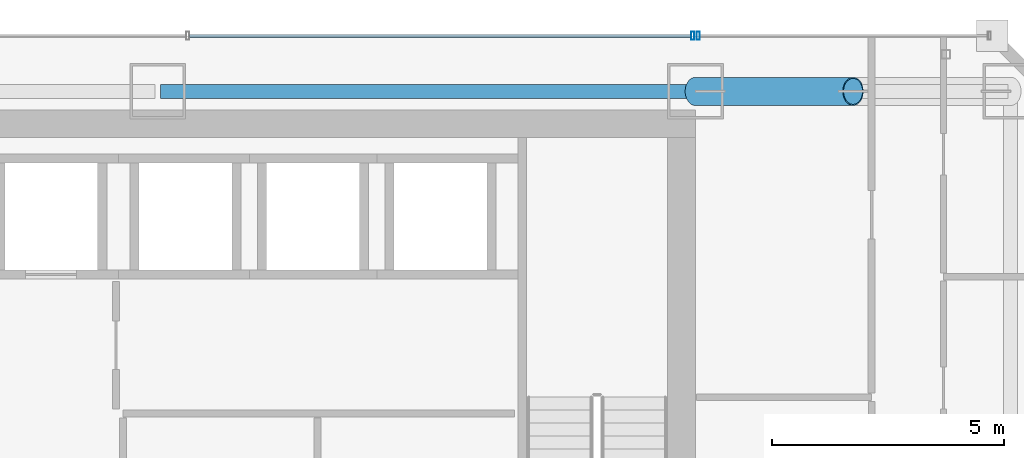
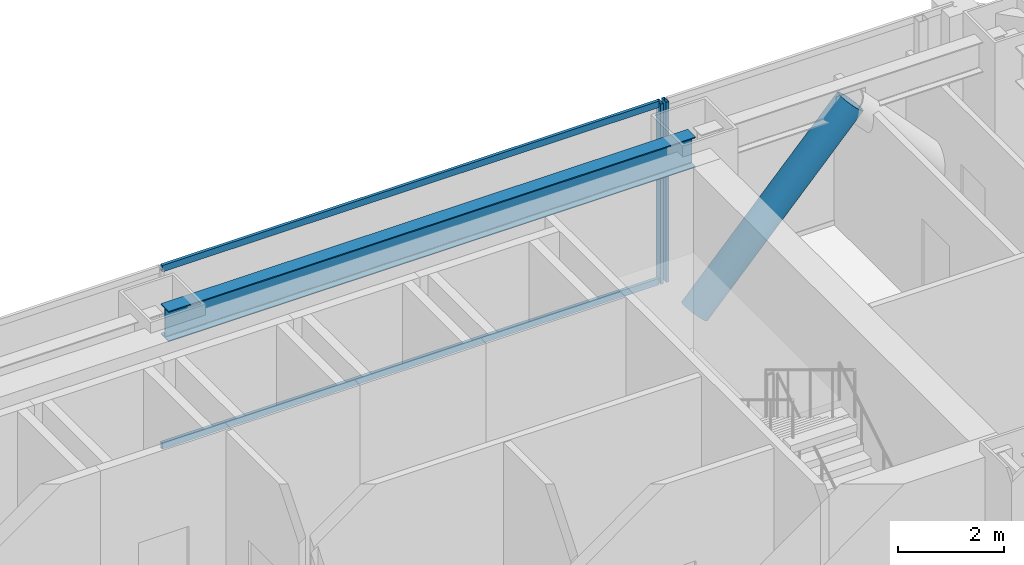
# One storey, part 32 of 47: 5 members, 1 beam, 2 elements without a shape of their own.
"""IFC4 building model written with IfcOpenShell, lengths in metres."""

from ifc_helpers import new_model, si_unit, direction, frame, origin, origin_2d, place, context, subcontext, project, spatial, hollow_rectangle, hollow_circle, i_section, extrude, material, material_profile, profile_set, type_object, element, aggregate, save


model = new_model("IFC4")

# Units and contexts
model_context = context("Model", 3, precision=1e-05, world=origin(), true_north=direction((0.0, 1.0)))
body_context = subcontext(model_context, "Body", "Model", "MODEL_VIEW")
ifc_project = project(units=[si_unit("LENGTHUNIT", "METRE"), si_unit("AREAUNIT", "SQUARE_METRE"), si_unit("VOLUMEUNIT", "CUBIC_METRE"), si_unit("PLANEANGLEUNIT", "RADIAN"), si_unit("MASSUNIT", "GRAM", prefix="KILO")], contexts=[model_context])

# Site, building, storey
site_placement = place(None, origin())
site = spatial("IfcSite", under=ifc_project, at=site_placement, CompositionType="ELEMENT")
building_placement = place(site_placement, origin())
building = spatial("IfcBuilding", under=site, at=building_placement, Name="Saevonmaru Cultural Tower", CompositionType="ELEMENT")
storey_placement = place(building_placement, frame((0.0, 0.0, 56.0)))
storey = spatial("IfcBuildingStorey", under=building, at=storey_placement, Name="L11", CompositionType="ELEMENT", Elevation=56.0)

# Beam
ifc_material_1 = material(Name="Steel SM355", Category="steel")
ifc_material_profile_1 = material_profile(ifc_material_1, i_section(OverallWidth=0.300048828125, OverallDepth=0.699951171875, WebThickness=0.012939453125, FlangeThickness=0.02392578125, FilletRadius=0.02587890625, at=origin_2d()), Name="H-700x300x13x24")
ifc_profile_set_1 = profile_set([ifc_material_profile_1], Name="Steel SM355")
beam_type = type_object("IfcBeamType", Name="BM-SP-H700", PredefinedType="SPANDREL", material=ifc_profile_set_1)
beam_placement = place(storey_placement, frame((34.860107421875, 54.800048828125, 3.800048828125), z_axis=(1.0, 0.0, 0.0), x_axis=(0.0, 1.0, 0.0)))
element("IfcBeam", 1, at=beam_placement, inside=storey, type_object=beam_type, Name="L11 North Spine Girder 4", PredefinedType="SPANDREL", context=body_context, shape_type="SweptSolid", body=[
    extrude(i_section(OverallWidth=0.300048828125, OverallDepth=0.699951171875, WebThickness=0.012939453125, FlangeThickness=0.02392578125, FilletRadius=0.02587890625, at=origin_2d()), origin(), (0.0, 0.0, 1.0), 11.47998046875),
])

# Member
ifc_material_2 = material(Name="Steel HSA600 (600 MPa)", Category="steel")
ifc_material_profile_2 = material_profile(ifc_material_2, hollow_circle(Radius=0.3046875, WallThickness=0.02490234375, at=origin_2d()), Name="CHS-609.6x25")
ifc_profile_set_2 = profile_set([ifc_material_profile_2], Name="Steel HSA600 (600 MPa)")
member_type_1 = type_object("IfcMemberType", Name="MB-PBR-CHS610", PredefinedType="BRACE", material=ifc_profile_set_2)
member_1_placement = place(storey_placement, frame((46.39990234375, 54.800048828125, 0.02001953125), z_axis=(0.681629141635, 0.0, 0.731697829212), x_axis=(0.0, 1.0, 0.0)))
element("IfcMember", 2, at=member_1_placement, inside=storey, type_object=member_type_1, Name="L11 Perimeter Braced-Tube Diagonal EN1", PredefinedType="BRACE", context=body_context, shape_type="SweptSolid", body=[
    extrude(hollow_circle(Radius=0.3046875, WallThickness=0.02490234375, at=origin_2d()), origin(), (0.0, 0.0, 1.0), 4.98828125),
])

# Curtain wall, member
ifc_material_3 = material(Name="Satin Bronze Anodised Aluminium", Category="aluminium")
curtain_wall_type = type_object("IfcCurtainWallType", Name="CW-TYP-A", PredefinedType="NOTDEFINED", material=ifc_material_3)
curtain_wall_1_placement = place(storey_placement, origin())
curtain_wall_1 = element("IfcCurtainWall", 3, at=curtain_wall_1_placement, inside=storey, type_object=curtain_wall_type, Name="L11 East Braced Bay Spandrel Curtain Wall E10A", PredefinedType="NOTDEFINED")
ifc_material_profile_3 = material_profile(ifc_material_3, hollow_rectangle(XDim=0.06494140625, YDim=0.179931640625, WallThickness=0.00390625, at=origin_2d()), Name="ALU-MULL-180x65x4")
ifc_profile_set_3 = profile_set([ifc_material_profile_3], Name="Satin Bronze Anodised Aluminium")
member_type_2 = type_object("IfcMemberType", Name="ML-CW-180x65", PredefinedType="MULLION", material=ifc_profile_set_3)
member_2_placement = place(storey_placement, frame((46.4599609375, 56.0, 0.0), z_axis=(0.0, 0.0, 1.0), x_axis=(-1.0, 0.0, 0.0)))
member_2 = element("IfcMember", 4, at=member_2_placement, type_object=member_type_2, Name="CW-TW-L11-E10A mullion 2", PredefinedType="MULLION", context=body_context, shape_type="SweptSolid", body=[
    extrude(hollow_rectangle(XDim=0.06494140625, YDim=0.179931640625, WallThickness=0.00390625, at=origin_2d()), origin(), (0.0, 0.0, 1.0), 4.14990234375),
])
aggregate(curtain_wall_1, [member_2])

# Curtain wall, members
curtain_wall_2_placement = place(storey_placement, origin())
curtain_wall_2 = element("IfcCurtainWall", 5, at=curtain_wall_2_placement, inside=storey, type_object=curtain_wall_type, Name="L11 North Spine Unitised Curtain Wall E10B", PredefinedType="NOTDEFINED")
member_3_placement = place(storey_placement, frame((46.340087890625, 56.0, 0.0), z_axis=(0.0, 0.0, 1.0), x_axis=(-1.0, 0.0, 0.0)))
member_3 = element("IfcMember", 6, at=member_3_placement, type_object=member_type_2, Name="CW-TW-L11-E10B mullion 1", PredefinedType="MULLION", context=body_context, shape_type="SweptSolid", body=[
    extrude(hollow_rectangle(XDim=0.06494140625, YDim=0.179931640625, WallThickness=0.00390625, at=origin_2d()), origin(), (0.0, 0.0, 1.0), 4.14990234375),
])
ifc_material_profile_4 = material_profile(ifc_material_3, hollow_rectangle(XDim=0.06494140625, YDim=0.14990234375, WallThickness=0.00390625, at=origin_2d()), Name="ALU-TRAN-150x65x4")
ifc_profile_set_4 = profile_set([ifc_material_profile_4], Name="Satin Bronze Anodised Aluminium")
member_type_3 = type_object("IfcMemberType", Name="TR-CW-150x65", PredefinedType="USERDEFINED", material=ifc_profile_set_4)
member_4_placement = place(storey_placement, frame((46.3076171875, 56.0, 0.032470703125), z_axis=(-1.0, 0.0, 0.0), x_axis=(0.0, -1.0, 0.0)))
member_4 = element("IfcMember", 7, at=member_4_placement, type_object=member_type_3, Name="CW-TW-L11-E10B transom 1.1", ObjectType="TRANSOM", PredefinedType="USERDEFINED", context=body_context, shape_type="SweptSolid", body=[
    extrude(hollow_rectangle(XDim=0.06494140625, YDim=0.14990234375, WallThickness=0.00390625, at=origin_2d()), origin(), (0.0, 0.0, 1.0), 10.828369140625),
])
member_5_placement = place(storey_placement, frame((46.3076171875, 56.0, 4.117431640625), z_axis=(-1.0, 0.0, 0.0), x_axis=(0.0, -1.0, 0.0)))
member_5 = element("IfcMember", 8, at=member_5_placement, type_object=member_type_3, Name="CW-TW-L11-E10B transom 1.2", ObjectType="TRANSOM", PredefinedType="USERDEFINED", context=body_context, shape_type="SweptSolid", body=[
    extrude(hollow_rectangle(XDim=0.06494140625, YDim=0.14990234375, WallThickness=0.00390625, at=origin_2d()), origin(), (0.0, 0.0, 1.0), 10.828369140625),
])
aggregate(curtain_wall_2, [member_3, member_4, member_5])

save(model, "model.ifc")
